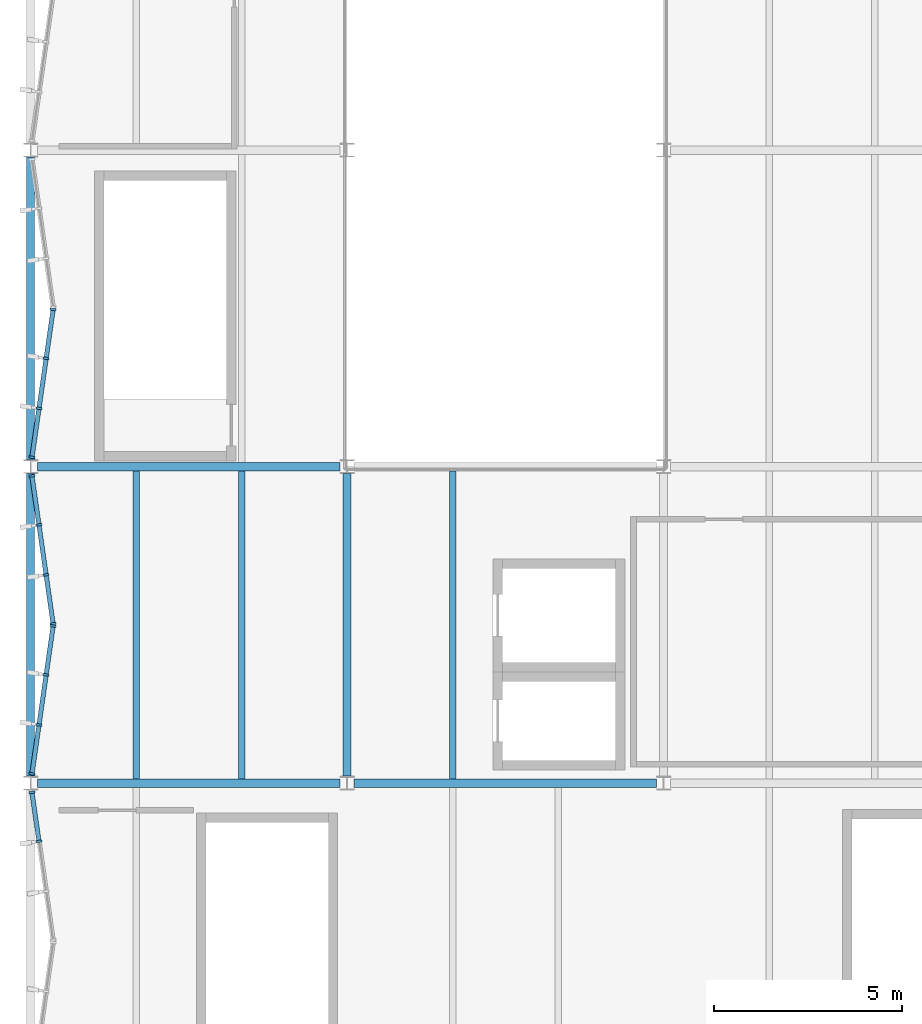
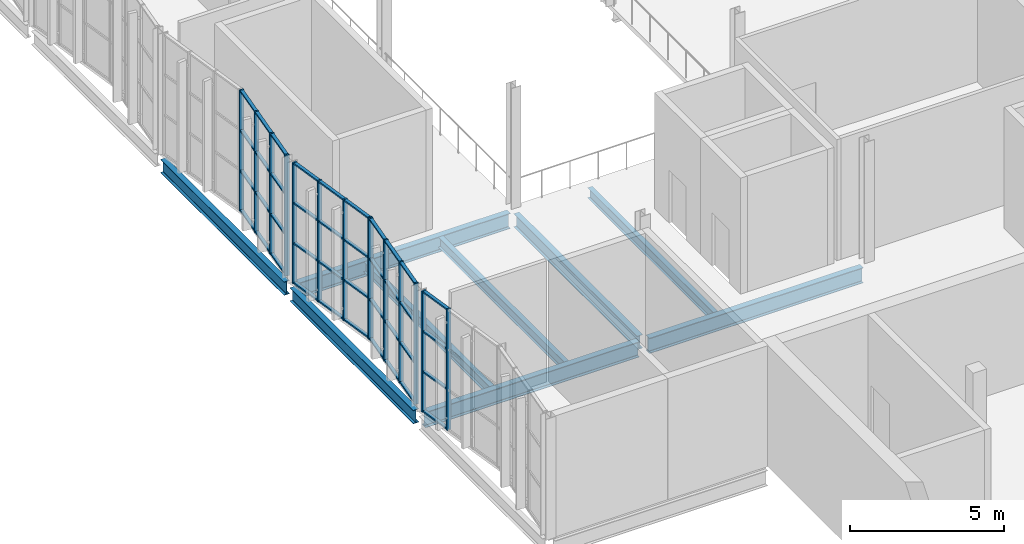
# One storey, part 20 of 116: 54 members, 9 beams, 4 elements without a shape of their own.
"""IFC4 building model written with IfcOpenShell, lengths in metres."""

from ifc_helpers import new_model, si_unit, direction, frame, origin, origin_2d, place, context, subcontext, project, spatial, rectangle, i_section, extrude, material, material_profile, profile_set, type_object, element, aggregate, save


model = new_model("IFC4")

# Units and contexts
model_context = context("Model", 3, precision=1e-05, world=origin(), true_north=direction((0.0, 1.0)))
body_context = subcontext(model_context, "Body", "Model", "MODEL_VIEW")
ifc_project = project(units=[si_unit("LENGTHUNIT", "METRE"), si_unit("AREAUNIT", "SQUARE_METRE"), si_unit("VOLUMEUNIT", "CUBIC_METRE"), si_unit("PLANEANGLEUNIT", "RADIAN"), si_unit("MASSUNIT", "GRAM", prefix="KILO")], contexts=[model_context])

# Site, building, storey
site_placement = place(None, origin())
site = spatial("IfcSite", under=ifc_project, at=site_placement, CompositionType="ELEMENT")
building_placement = place(site_placement, origin())
building = spatial("IfcBuilding", under=site, at=building_placement, Name="Ljudholm Concert House", CompositionType="ELEMENT")
storey_placement = place(building_placement, frame((0.0, 0.0, 10.199951171875)))
storey = spatial("IfcBuildingStorey", under=building, at=storey_placement, Name="L02", CompositionType="ELEMENT", Elevation=10.199951171875)

# Curtain wall, members
ifc_material_1 = material(Name="Aluminium curtain wall with impact-rated laminated glass", Category="aluminium")
curtain_wall_type = type_object("IfcCurtainWallType", Name="CURTAIN WALL 1400", PredefinedType="NOTDEFINED", material=ifc_material_1)
curtain_wall_1_placement = place(storey_placement, origin())
curtain_wall_1 = element("IfcCurtainWall", 1, at=curtain_wall_1_placement, inside=storey, type_object=curtain_wall_type, Name="Facade curtain wall", PredefinedType="NOTDEFINED")
ifc_material_2 = material(Name="Aluminium extrusion", Category="aluminium")
ifc_material_profile_1 = material_profile(ifc_material_2, rectangle(XDim=0.159912109375, YDim=0.06005859375, at=origin_2d()), Name="MULLION 60x160")
ifc_profile_set_1 = profile_set([ifc_material_profile_1], Name="Aluminium extrusion")
member_type_1 = type_object("IfcMemberType", Name="MULLION 60x160", PredefinedType="MULLION", material=ifc_profile_set_1)
member_1_placement = place(storey_placement, frame((4.220703125, 52.854736328125, 0.0), z_axis=(0.0, 0.0, 1.0), x_axis=(-0.989949493647, -0.141421356338, 0.0)))
member_1 = element("IfcMember", 2, at=member_1_placement, type_object=member_type_1, Name="Mullion", PredefinedType="MULLION", context=body_context, shape_type="SweptSolid", body=[
    extrude(rectangle(XDim=0.159912109375, YDim=0.06005859375, at=origin_2d()), origin(), (0.0, 0.0, 1.0), 4.800048828125),
])
member_2_placement = place(storey_placement, frame((4.035400390625, 54.152587890625, 0.0), z_axis=(0.0, 0.0, 1.0), x_axis=(-0.989949493647, -0.141421356338, 0.0)))
member_2 = element("IfcMember", 3, at=member_2_placement, type_object=member_type_1, Name="Mullion", PredefinedType="MULLION", context=body_context, shape_type="SweptSolid", body=[
    extrude(rectangle(XDim=0.159912109375, YDim=0.06005859375, at=origin_2d()), origin(), (0.0, 0.0, 1.0), 4.800048828125),
])

curtain_wall_2_placement = place(storey_placement, origin())
curtain_wall_2 = element("IfcCurtainWall", 4, at=curtain_wall_2_placement, inside=storey, type_object=curtain_wall_type, Name="Facade curtain wall", PredefinedType="NOTDEFINED")
member_3_placement = place(storey_placement, frame((4.035400390625, 54.6474609375, 0.0), z_axis=(0.0, 0.0, 1.0), x_axis=(-0.989949493647, 0.141421356338, 0.0)))
member_3 = element("IfcMember", 5, at=member_3_placement, type_object=member_type_1, Name="Mullion", PredefinedType="MULLION", context=body_context, shape_type="SweptSolid", body=[
    extrude(rectangle(XDim=0.159912109375, YDim=0.06005859375, at=origin_2d()), origin(), (0.0, 0.0, 1.0), 4.800048828125),
])
member_4_placement = place(storey_placement, frame((4.220703125, 55.9453125, 0.0), z_axis=(0.0, 0.0, 1.0), x_axis=(-0.989949493647, 0.141421356338, 0.0)))
member_4 = element("IfcMember", 6, at=member_4_placement, type_object=member_type_1, Name="Mullion", PredefinedType="MULLION", context=body_context, shape_type="SweptSolid", body=[
    extrude(rectangle(XDim=0.159912109375, YDim=0.06005859375, at=origin_2d()), origin(), (0.0, 0.0, 1.0), 4.800048828125),
])
member_5_placement = place(storey_placement, frame((4.410400390625, 57.272705078125, 0.0), z_axis=(0.0, 0.0, 1.0), x_axis=(-0.989949493647, 0.141421356338, 0.0)))
member_5 = element("IfcMember", 7, at=member_5_placement, type_object=member_type_1, Name="Mullion", PredefinedType="MULLION", context=body_context, shape_type="SweptSolid", body=[
    extrude(rectangle(XDim=0.159912109375, YDim=0.06005859375, at=origin_2d()), origin(), (0.0, 0.0, 1.0), 4.800048828125),
])
member_6_placement = place(storey_placement, frame((4.595703125, 58.5703125, 0.0), z_axis=(0.0, 0.0, 1.0), x_axis=(-0.989949493647, 0.141421356338, 0.0)))
member_6 = element("IfcMember", 8, at=member_6_placement, type_object=member_type_1, Name="Mullion", PredefinedType="MULLION", context=body_context, shape_type="SweptSolid", body=[
    extrude(rectangle(XDim=0.159912109375, YDim=0.06005859375, at=origin_2d()), origin(), (0.0, 0.0, 1.0), 4.800048828125),
])

curtain_wall_3_placement = place(storey_placement, origin())
curtain_wall_3 = element("IfcCurtainWall", 9, at=curtain_wall_3_placement, inside=storey, type_object=curtain_wall_type, Name="Facade curtain wall", PredefinedType="NOTDEFINED")
member_7_placement = place(storey_placement, frame((4.595703125, 58.629638671875, 0.0), z_axis=(0.0, 0.0, 1.0), x_axis=(-0.989949493647, -0.141421356338, 0.0)))
member_7 = element("IfcMember", 10, at=member_7_placement, type_object=member_type_1, Name="Mullion", PredefinedType="MULLION", context=body_context, shape_type="SweptSolid", body=[
    extrude(rectangle(XDim=0.159912109375, YDim=0.06005859375, at=origin_2d()), origin(), (0.0, 0.0, 1.0), 4.800048828125),
])
member_8_placement = place(storey_placement, frame((4.410400390625, 59.927490234375, 0.0), z_axis=(0.0, 0.0, 1.0), x_axis=(-0.989949493647, -0.141421356338, 0.0)))
member_8 = element("IfcMember", 11, at=member_8_placement, type_object=member_type_1, Name="Mullion", PredefinedType="MULLION", context=body_context, shape_type="SweptSolid", body=[
    extrude(rectangle(XDim=0.159912109375, YDim=0.06005859375, at=origin_2d()), origin(), (0.0, 0.0, 1.0), 4.800048828125),
])
member_9_placement = place(storey_placement, frame((4.220703125, 61.2548828125, 0.0), z_axis=(0.0, 0.0, 1.0), x_axis=(-0.989949493647, -0.141421356338, 0.0)))
member_9 = element("IfcMember", 12, at=member_9_placement, type_object=member_type_1, Name="Mullion", PredefinedType="MULLION", context=body_context, shape_type="SweptSolid", body=[
    extrude(rectangle(XDim=0.159912109375, YDim=0.06005859375, at=origin_2d()), origin(), (0.0, 0.0, 1.0), 4.800048828125),
])
member_10_placement = place(storey_placement, frame((4.035400390625, 62.552490234375, 0.0), z_axis=(0.0, 0.0, 1.0), x_axis=(-0.989949493647, -0.141421356338, 0.0)))
member_10 = element("IfcMember", 13, at=member_10_placement, type_object=member_type_1, Name="Mullion", PredefinedType="MULLION", context=body_context, shape_type="SweptSolid", body=[
    extrude(rectangle(XDim=0.159912109375, YDim=0.06005859375, at=origin_2d()), origin(), (0.0, 0.0, 1.0), 4.800048828125),
])

curtain_wall_4_placement = place(storey_placement, origin())
curtain_wall_4 = element("IfcCurtainWall", 14, at=curtain_wall_4_placement, inside=storey, type_object=curtain_wall_type, Name="Facade curtain wall", PredefinedType="NOTDEFINED")
member_11_placement = place(storey_placement, frame((4.035400390625, 63.047607421875, 0.0), z_axis=(0.0, 0.0, 1.0), x_axis=(-0.989949493647, 0.141421356338, 0.0)))
member_11 = element("IfcMember", 15, at=member_11_placement, type_object=member_type_1, Name="Mullion", PredefinedType="MULLION", context=body_context, shape_type="SweptSolid", body=[
    extrude(rectangle(XDim=0.159912109375, YDim=0.06005859375, at=origin_2d()), origin(), (0.0, 0.0, 1.0), 4.800048828125),
])
member_12_placement = place(storey_placement, frame((4.220703125, 64.34521484375, 0.0), z_axis=(0.0, 0.0, 1.0), x_axis=(-0.989949493647, 0.141421356338, 0.0)))
member_12 = element("IfcMember", 16, at=member_12_placement, type_object=member_type_1, Name="Mullion", PredefinedType="MULLION", context=body_context, shape_type="SweptSolid", body=[
    extrude(rectangle(XDim=0.159912109375, YDim=0.06005859375, at=origin_2d()), origin(), (0.0, 0.0, 1.0), 4.800048828125),
])
member_13_placement = place(storey_placement, frame((4.410400390625, 65.672607421875, 0.0), z_axis=(0.0, 0.0, 1.0), x_axis=(-0.989949493647, 0.141421356338, 0.0)))
member_13 = element("IfcMember", 17, at=member_13_placement, type_object=member_type_1, Name="Mullion", PredefinedType="MULLION", context=body_context, shape_type="SweptSolid", body=[
    extrude(rectangle(XDim=0.159912109375, YDim=0.06005859375, at=origin_2d()), origin(), (0.0, 0.0, 1.0), 4.800048828125),
])
member_14_placement = place(storey_placement, frame((4.595703125, 66.97021484375, 0.0), z_axis=(0.0, 0.0, 1.0), x_axis=(-0.989949493647, 0.141421356338, 0.0)))
member_14 = element("IfcMember", 18, at=member_14_placement, type_object=member_type_1, Name="Mullion", PredefinedType="MULLION", context=body_context, shape_type="SweptSolid", body=[
    extrude(rectangle(XDim=0.159912109375, YDim=0.06005859375, at=origin_2d()), origin(), (0.0, 0.0, 1.0), 4.800048828125),
])

# Beams
ifc_material_3 = material(Name="Steel ASTM A992", Category="steel")
ifc_material_profile_2 = material_profile(ifc_material_3, i_section(OverallWidth=0.177734375, OverallDepth=0.406494140625, WebThickness=0.0078125, FlangeThickness=0.012939453125, FilletRadius=0.01025390625, at=origin_2d()), Name="W16X40")
ifc_profile_set_2 = profile_set([ifc_material_profile_2], Name="Steel ASTM A992")
beam_type_1 = type_object("IfcBeamType", Name="STEEL BEAM W16X40", PredefinedType="BEAM", material=ifc_profile_set_2)
for number, where, z_axis, x_axis, name in (
    (19, (6.800048828125, 54.5146484375, -0.383056640625), (0.0, 1.0, 0.0), (-1.0, 0.0, 0.0), "Secondary beam"),
    (20, (9.60009765625, 54.5146484375, -0.383056640625), (0.0, 1.0, 0.0), (-1.0, 0.0, 0.0), "Secondary beam"),
    (21, (15.199951171875, 54.5146484375, -0.383056640625), (0.0, 1.0, 0.0), (-1.0, 0.0, 0.0), "Secondary beam"),
):
    element("IfcBeam", number, at=place(storey_placement, frame(where, z_axis=z_axis, x_axis=x_axis)), inside=storey, type_object=beam_type_1, Name=name, PredefinedType="BEAM", context=body_context, shape_type="SweptSolid", body=[
        extrude(i_section(OverallWidth=0.177734375, OverallDepth=0.406494140625, WebThickness=0.0078125, FlangeThickness=0.012939453125, FilletRadius=0.01025390625, at=origin_2d()), origin(), (0.0, 0.0, 1.0), 8.1708984375),
    ])
ifc_material_4 = material(Name="Steel ASTM A992", Category="steel")
ifc_material_profile_3 = material_profile(ifc_material_4, i_section(OverallWidth=0.209228515625, OverallDepth=0.533447265625, WebThickness=0.01025390625, FlangeThickness=0.015625, FilletRadius=0.012939453125, at=origin_2d()), Name="W21X62")
ifc_profile_set_3 = profile_set([ifc_material_profile_3], Name="Steel ASTM A992")
beam_type_2 = type_object("IfcBeamType", Name="STEEL BEAM W21X62", PredefinedType="BEAM", material=ifc_profile_set_3)
beam_1_placement = place(storey_placement, frame((4.0, 54.586669921875, -0.446533203125), z_axis=(0.0, 1.0, 0.0), x_axis=(-1.0, 0.0, 0.0)))
element("IfcBeam", 22, at=beam_1_placement, inside=storey, type_object=beam_type_2, Name="Floor edge beam", PredefinedType="BEAM", context=body_context, shape_type="SweptSolid", body=[
    extrude(i_section(OverallWidth=0.209228515625, OverallDepth=0.533447265625, WebThickness=0.01025390625, FlangeThickness=0.015625, FilletRadius=0.012939453125, at=origin_2d()), origin(), (0.0, 0.0, 1.0), 8.026611328125),
])
beam_2_placement = place(storey_placement, frame((4.0, 62.986572265625, -0.446533203125), z_axis=(0.0, 1.0, 0.0), x_axis=(-1.0, 0.0, 0.0)))
element("IfcBeam", 23, at=beam_2_placement, inside=storey, type_object=beam_type_2, Name="Floor edge beam", PredefinedType="BEAM", context=body_context, shape_type="SweptSolid", body=[
    extrude(i_section(OverallWidth=0.209228515625, OverallDepth=0.533447265625, WebThickness=0.01025390625, FlangeThickness=0.015625, FilletRadius=0.012939453125, at=origin_2d()), origin(), (0.0, 0.0, 1.0), 8.02685546875),
])
beam_3_placement = place(storey_placement, frame((12.39990234375, 54.586669921875, -0.446533203125), z_axis=(0.0, 1.0, 0.0), x_axis=(-1.0, 0.0, 0.0)))
element("IfcBeam", 24, at=beam_3_placement, inside=storey, type_object=beam_type_2, Name="Floor edge beam", PredefinedType="BEAM", context=body_context, shape_type="SweptSolid", body=[
    extrude(i_section(OverallWidth=0.209228515625, OverallDepth=0.533447265625, WebThickness=0.01025390625, FlangeThickness=0.015625, FilletRadius=0.012939453125, at=origin_2d()), origin(), (0.0, 0.0, 1.0), 8.026611328125),
])
ifc_material_5 = material(Name="Steel ASTM A992", Category="steel")
ifc_material_profile_4 = material_profile(ifc_material_5, i_section(OverallWidth=0.22900390625, OverallDepth=0.612060546875, WebThickness=0.011962890625, FlangeThickness=0.01953125, FilletRadius=0.0126953125, at=origin_2d()), Name="W24X84")
ifc_profile_set_4 = profile_set([ifc_material_profile_4], Name="Steel ASTM A992")
beam_type_3 = type_object("IfcBeamType", Name="STEEL BEAM W24X84", PredefinedType="BEAM", material=ifc_profile_set_4)
for number, where, z_axis, x_axis, name in (
    (25, (4.186767578125, 54.39990234375, -0.486083984375), (1.0, 0.0, 0.0), (0.0, 1.0, 0.0), "Floor girder"),
    (26, (12.586669921875, 54.39990234375, -0.486083984375), (1.0, 0.0, 0.0), (0.0, 1.0, 0.0), "Floor girder"),
    (27, (4.186767578125, 62.800048828125, -0.486083984375), (1.0, 0.0, 0.0), (0.0, 1.0, 0.0), "Floor girder"),
):
    element("IfcBeam", number, at=place(storey_placement, frame(where, z_axis=z_axis, x_axis=x_axis)), inside=storey, type_object=beam_type_3, Name=name, PredefinedType="BEAM", context=body_context, shape_type="SweptSolid", body=[
        extrude(i_section(OverallWidth=0.22900390625, OverallDepth=0.612060546875, WebThickness=0.011962890625, FlangeThickness=0.01953125, FilletRadius=0.0126953125, at=origin_2d()), origin(), (0.0, 0.0, 1.0), 8.026611328125),
    ])

# Member
ifc_material_6 = material(Name="Aluminium extrusion", Category="aluminium")
ifc_material_profile_5 = material_profile(ifc_material_6, rectangle(XDim=0.1201171875, YDim=0.06005859375, at=origin_2d()), Name="TRANSOM 60x120")
ifc_profile_set_5 = profile_set([ifc_material_profile_5], Name="Aluminium extrusion")
member_type_2 = type_object("IfcMemberType", Name="TRANSOM 60x120", PredefinedType="USERDEFINED", material=ifc_profile_set_5)
member_15_placement = place(storey_placement, frame((4.216552734375, 52.884521484375, 0.030029296875), z_axis=(-0.141503330095, 0.989937779647, 0.0), x_axis=(-0.989937779647, -0.141503330095, 0.0)))
member_15 = element("IfcMember", 28, at=member_15_placement, type_object=member_type_2, Name="Transom", ObjectType="TRANSOM", PredefinedType="USERDEFINED", context=body_context, shape_type="SweptSolid", body=[
    extrude(rectangle(XDim=0.1201171875, YDim=0.06005859375, at=origin_2d()), origin(), (0.0, 0.0, 1.0), 1.2509765625),
])

member_16_placement = place(storey_placement, frame((4.216552734375, 52.884521484375, 1.60009765625), z_axis=(-0.141503330095, 0.989937779647, 0.0), x_axis=(-0.989937779647, -0.141503330095, 0.0)))
member_16 = element("IfcMember", 29, at=member_16_placement, type_object=member_type_2, Name="Transom", ObjectType="TRANSOM", PredefinedType="USERDEFINED", context=body_context, shape_type="SweptSolid", body=[
    extrude(rectangle(XDim=0.1201171875, YDim=0.06005859375, at=origin_2d()), origin(), (0.0, 0.0, 1.0), 1.2509765625),
])

member_17_placement = place(storey_placement, frame((4.216552734375, 52.884521484375, 3.199951171875), z_axis=(-0.141503330095, 0.989937779647, 0.0), x_axis=(-0.989937779647, -0.141503330095, 0.0)))
member_17 = element("IfcMember", 30, at=member_17_placement, type_object=member_type_2, Name="Transom", ObjectType="TRANSOM", PredefinedType="USERDEFINED", context=body_context, shape_type="SweptSolid", body=[
    extrude(rectangle(XDim=0.1201171875, YDim=0.06005859375, at=origin_2d()), origin(), (0.0, 0.0, 1.0), 1.2509765625),
])

member_18_placement = place(storey_placement, frame((4.216552734375, 52.884521484375, 4.77001953125), z_axis=(-0.141503330095, 0.989937779647, 0.0), x_axis=(-0.989937779647, -0.141503330095, 0.0)))
member_18 = element("IfcMember", 31, at=member_18_placement, type_object=member_type_2, Name="Transom", ObjectType="TRANSOM", PredefinedType="USERDEFINED", context=body_context, shape_type="SweptSolid", body=[
    extrude(rectangle(XDim=0.1201171875, YDim=0.06005859375, at=origin_2d()), origin(), (0.0, 0.0, 1.0), 1.2509765625),
])

aggregate(curtain_wall_1, [member_1, member_2, member_15, member_16, member_17, member_18])

member_19_placement = place(storey_placement, frame((4.03955078125, 54.67724609375, 0.030029296875), z_axis=(0.141503330095, 0.989937779647, 0.0), x_axis=(-0.989937779647, 0.141503330095, 0.0)))
member_19 = element("IfcMember", 32, at=member_19_placement, type_object=member_type_2, Name="Transom", ObjectType="TRANSOM", PredefinedType="USERDEFINED", context=body_context, shape_type="SweptSolid", body=[
    extrude(rectangle(XDim=0.1201171875, YDim=0.06005859375, at=origin_2d()), origin(), (0.0, 0.0, 1.0), 1.2509765625),
])

member_20_placement = place(storey_placement, frame((4.03955078125, 54.67724609375, 1.60009765625), z_axis=(0.141503330095, 0.989937779647, 0.0), x_axis=(-0.989937779647, 0.141503330095, 0.0)))
member_20 = element("IfcMember", 33, at=member_20_placement, type_object=member_type_2, Name="Transom", ObjectType="TRANSOM", PredefinedType="USERDEFINED", context=body_context, shape_type="SweptSolid", body=[
    extrude(rectangle(XDim=0.1201171875, YDim=0.06005859375, at=origin_2d()), origin(), (0.0, 0.0, 1.0), 1.2509765625),
])

member_21_placement = place(storey_placement, frame((4.03955078125, 54.67724609375, 3.199951171875), z_axis=(0.141503330095, 0.989937779647, 0.0), x_axis=(-0.989937779647, 0.141503330095, 0.0)))
member_21 = element("IfcMember", 34, at=member_21_placement, type_object=member_type_2, Name="Transom", ObjectType="TRANSOM", PredefinedType="USERDEFINED", context=body_context, shape_type="SweptSolid", body=[
    extrude(rectangle(XDim=0.1201171875, YDim=0.06005859375, at=origin_2d()), origin(), (0.0, 0.0, 1.0), 1.2509765625),
])

member_22_placement = place(storey_placement, frame((4.03955078125, 54.67724609375, 4.77001953125), z_axis=(0.141503330095, 0.989937779647, 0.0), x_axis=(-0.989937779647, 0.141503330095, 0.0)))
member_22 = element("IfcMember", 35, at=member_22_placement, type_object=member_type_2, Name="Transom", ObjectType="TRANSOM", PredefinedType="USERDEFINED", context=body_context, shape_type="SweptSolid", body=[
    extrude(rectangle(XDim=0.1201171875, YDim=0.06005859375, at=origin_2d()), origin(), (0.0, 0.0, 1.0), 1.2509765625),
])

member_23_placement = place(storey_placement, frame((4.22509765625, 55.974853515625, 0.030029296875), z_axis=(0.141421356237, 0.989949493661, 0.0), x_axis=(-0.989949493661, 0.141421356237, 0.0)))
member_23 = element("IfcMember", 36, at=member_23_placement, type_object=member_type_2, Name="Transom", ObjectType="TRANSOM", PredefinedType="USERDEFINED", context=body_context, shape_type="SweptSolid", body=[
    extrude(rectangle(XDim=0.1201171875, YDim=0.06005859375, at=origin_2d()), origin(), (0.0, 0.0, 1.0), 1.281005859375),
])

member_24_placement = place(storey_placement, frame((4.22509765625, 55.974853515625, 1.60009765625), z_axis=(0.141421356237, 0.989949493661, 0.0), x_axis=(-0.989949493661, 0.141421356237, 0.0)))
member_24 = element("IfcMember", 37, at=member_24_placement, type_object=member_type_2, Name="Transom", ObjectType="TRANSOM", PredefinedType="USERDEFINED", context=body_context, shape_type="SweptSolid", body=[
    extrude(rectangle(XDim=0.1201171875, YDim=0.06005859375, at=origin_2d()), origin(), (0.0, 0.0, 1.0), 1.281005859375),
])

member_25_placement = place(storey_placement, frame((4.22509765625, 55.974853515625, 3.199951171875), z_axis=(0.141421356237, 0.989949493661, 0.0), x_axis=(-0.989949493661, 0.141421356237, 0.0)))
member_25 = element("IfcMember", 38, at=member_25_placement, type_object=member_type_2, Name="Transom", ObjectType="TRANSOM", PredefinedType="USERDEFINED", context=body_context, shape_type="SweptSolid", body=[
    extrude(rectangle(XDim=0.1201171875, YDim=0.06005859375, at=origin_2d()), origin(), (0.0, 0.0, 1.0), 1.281005859375),
])

member_26_placement = place(storey_placement, frame((4.22509765625, 55.974853515625, 4.77001953125), z_axis=(0.141421356237, 0.989949493661, 0.0), x_axis=(-0.989949493661, 0.141421356237, 0.0)))
member_26 = element("IfcMember", 39, at=member_26_placement, type_object=member_type_2, Name="Transom", ObjectType="TRANSOM", PredefinedType="USERDEFINED", context=body_context, shape_type="SweptSolid", body=[
    extrude(rectangle(XDim=0.1201171875, YDim=0.06005859375, at=origin_2d()), origin(), (0.0, 0.0, 1.0), 1.281005859375),
])

member_27_placement = place(storey_placement, frame((4.41455078125, 57.30224609375, 0.030029296875), z_axis=(0.141503330095, 0.989937779647, 0.0), x_axis=(-0.989937779647, 0.141503330095, 0.0)))
member_27 = element("IfcMember", 40, at=member_27_placement, type_object=member_type_2, Name="Transom", ObjectType="TRANSOM", PredefinedType="USERDEFINED", context=body_context, shape_type="SweptSolid", body=[
    extrude(rectangle(XDim=0.1201171875, YDim=0.06005859375, at=origin_2d()), origin(), (0.0, 0.0, 1.0), 1.2509765625),
])

member_28_placement = place(storey_placement, frame((4.41455078125, 57.30224609375, 1.60009765625), z_axis=(0.141503330095, 0.989937779647, 0.0), x_axis=(-0.989937779647, 0.141503330095, 0.0)))
member_28 = element("IfcMember", 41, at=member_28_placement, type_object=member_type_2, Name="Transom", ObjectType="TRANSOM", PredefinedType="USERDEFINED", context=body_context, shape_type="SweptSolid", body=[
    extrude(rectangle(XDim=0.1201171875, YDim=0.06005859375, at=origin_2d()), origin(), (0.0, 0.0, 1.0), 1.2509765625),
])

member_29_placement = place(storey_placement, frame((4.41455078125, 57.30224609375, 3.199951171875), z_axis=(0.141503330095, 0.989937779647, 0.0), x_axis=(-0.989937779647, 0.141503330095, 0.0)))
member_29 = element("IfcMember", 42, at=member_29_placement, type_object=member_type_2, Name="Transom", ObjectType="TRANSOM", PredefinedType="USERDEFINED", context=body_context, shape_type="SweptSolid", body=[
    extrude(rectangle(XDim=0.1201171875, YDim=0.06005859375, at=origin_2d()), origin(), (0.0, 0.0, 1.0), 1.2509765625),
])

member_30_placement = place(storey_placement, frame((4.41455078125, 57.30224609375, 4.77001953125), z_axis=(0.141503330095, 0.989937779647, 0.0), x_axis=(-0.989937779647, 0.141503330095, 0.0)))
member_30 = element("IfcMember", 43, at=member_30_placement, type_object=member_type_2, Name="Transom", ObjectType="TRANSOM", PredefinedType="USERDEFINED", context=body_context, shape_type="SweptSolid", body=[
    extrude(rectangle(XDim=0.1201171875, YDim=0.06005859375, at=origin_2d()), origin(), (0.0, 0.0, 1.0), 1.2509765625),
])

aggregate(curtain_wall_2, [member_3, member_4, member_5, member_6, member_19, member_20, member_21, member_22, member_23, member_24, member_25, member_26, member_27, member_28, member_29, member_30])

member_31_placement = place(storey_placement, frame((4.591552734375, 58.659423828125, 0.030029296875), z_axis=(-0.141503330095, 0.989937779647, 0.0), x_axis=(-0.989937779647, -0.141503330095, 0.0)))
member_31 = element("IfcMember", 44, at=member_31_placement, type_object=member_type_2, Name="Transom", ObjectType="TRANSOM", PredefinedType="USERDEFINED", context=body_context, shape_type="SweptSolid", body=[
    extrude(rectangle(XDim=0.1201171875, YDim=0.06005859375, at=origin_2d()), origin(), (0.0, 0.0, 1.0), 1.2509765625),
])

member_32_placement = place(storey_placement, frame((4.591552734375, 58.659423828125, 1.60009765625), z_axis=(-0.141503330095, 0.989937779647, 0.0), x_axis=(-0.989937779647, -0.141503330095, 0.0)))
member_32 = element("IfcMember", 45, at=member_32_placement, type_object=member_type_2, Name="Transom", ObjectType="TRANSOM", PredefinedType="USERDEFINED", context=body_context, shape_type="SweptSolid", body=[
    extrude(rectangle(XDim=0.1201171875, YDim=0.06005859375, at=origin_2d()), origin(), (0.0, 0.0, 1.0), 1.2509765625),
])

member_33_placement = place(storey_placement, frame((4.591552734375, 58.659423828125, 3.199951171875), z_axis=(-0.141503330095, 0.989937779647, 0.0), x_axis=(-0.989937779647, -0.141503330095, 0.0)))
member_33 = element("IfcMember", 46, at=member_33_placement, type_object=member_type_2, Name="Transom", ObjectType="TRANSOM", PredefinedType="USERDEFINED", context=body_context, shape_type="SweptSolid", body=[
    extrude(rectangle(XDim=0.1201171875, YDim=0.06005859375, at=origin_2d()), origin(), (0.0, 0.0, 1.0), 1.2509765625),
])

member_34_placement = place(storey_placement, frame((4.591552734375, 58.659423828125, 4.77001953125), z_axis=(-0.141503330095, 0.989937779647, 0.0), x_axis=(-0.989937779647, -0.141503330095, 0.0)))
member_34 = element("IfcMember", 47, at=member_34_placement, type_object=member_type_2, Name="Transom", ObjectType="TRANSOM", PredefinedType="USERDEFINED", context=body_context, shape_type="SweptSolid", body=[
    extrude(rectangle(XDim=0.1201171875, YDim=0.06005859375, at=origin_2d()), origin(), (0.0, 0.0, 1.0), 1.2509765625),
])

member_35_placement = place(storey_placement, frame((4.40625, 59.95703125, 0.030029296875), z_axis=(-0.141421356237, 0.989949493661, 0.0), x_axis=(-0.989949493661, -0.141421356237, 0.0)))
member_35 = element("IfcMember", 48, at=member_35_placement, type_object=member_type_2, Name="Transom", ObjectType="TRANSOM", PredefinedType="USERDEFINED", context=body_context, shape_type="SweptSolid", body=[
    extrude(rectangle(XDim=0.1201171875, YDim=0.06005859375, at=origin_2d()), origin(), (0.0, 0.0, 1.0), 1.281005859375),
])

member_36_placement = place(storey_placement, frame((4.40625, 59.95703125, 1.60009765625), z_axis=(-0.141421356237, 0.989949493661, 0.0), x_axis=(-0.989949493661, -0.141421356237, 0.0)))
member_36 = element("IfcMember", 49, at=member_36_placement, type_object=member_type_2, Name="Transom", ObjectType="TRANSOM", PredefinedType="USERDEFINED", context=body_context, shape_type="SweptSolid", body=[
    extrude(rectangle(XDim=0.1201171875, YDim=0.06005859375, at=origin_2d()), origin(), (0.0, 0.0, 1.0), 1.281005859375),
])

member_37_placement = place(storey_placement, frame((4.40625, 59.95703125, 3.199951171875), z_axis=(-0.141421356237, 0.989949493661, 0.0), x_axis=(-0.989949493661, -0.141421356237, 0.0)))
member_37 = element("IfcMember", 50, at=member_37_placement, type_object=member_type_2, Name="Transom", ObjectType="TRANSOM", PredefinedType="USERDEFINED", context=body_context, shape_type="SweptSolid", body=[
    extrude(rectangle(XDim=0.1201171875, YDim=0.06005859375, at=origin_2d()), origin(), (0.0, 0.0, 1.0), 1.281005859375),
])

member_38_placement = place(storey_placement, frame((4.40625, 59.95703125, 4.77001953125), z_axis=(-0.141421356237, 0.989949493661, 0.0), x_axis=(-0.989949493661, -0.141421356237, 0.0)))
member_38 = element("IfcMember", 51, at=member_38_placement, type_object=member_type_2, Name="Transom", ObjectType="TRANSOM", PredefinedType="USERDEFINED", context=body_context, shape_type="SweptSolid", body=[
    extrude(rectangle(XDim=0.1201171875, YDim=0.06005859375, at=origin_2d()), origin(), (0.0, 0.0, 1.0), 1.281005859375),
])

member_39_placement = place(storey_placement, frame((4.216552734375, 61.284423828125, 0.030029296875), z_axis=(-0.141503330095, 0.989937779647, 0.0), x_axis=(-0.989937779647, -0.141503330095, 0.0)))
member_39 = element("IfcMember", 52, at=member_39_placement, type_object=member_type_2, Name="Transom", ObjectType="TRANSOM", PredefinedType="USERDEFINED", context=body_context, shape_type="SweptSolid", body=[
    extrude(rectangle(XDim=0.1201171875, YDim=0.06005859375, at=origin_2d()), origin(), (0.0, 0.0, 1.0), 1.2509765625),
])

member_40_placement = place(storey_placement, frame((4.216552734375, 61.284423828125, 1.60009765625), z_axis=(-0.141503330095, 0.989937779647, 0.0), x_axis=(-0.989937779647, -0.141503330095, 0.0)))
member_40 = element("IfcMember", 53, at=member_40_placement, type_object=member_type_2, Name="Transom", ObjectType="TRANSOM", PredefinedType="USERDEFINED", context=body_context, shape_type="SweptSolid", body=[
    extrude(rectangle(XDim=0.1201171875, YDim=0.06005859375, at=origin_2d()), origin(), (0.0, 0.0, 1.0), 1.2509765625),
])

member_41_placement = place(storey_placement, frame((4.216552734375, 61.284423828125, 3.199951171875), z_axis=(-0.141503330095, 0.989937779647, 0.0), x_axis=(-0.989937779647, -0.141503330095, 0.0)))
member_41 = element("IfcMember", 54, at=member_41_placement, type_object=member_type_2, Name="Transom", ObjectType="TRANSOM", PredefinedType="USERDEFINED", context=body_context, shape_type="SweptSolid", body=[
    extrude(rectangle(XDim=0.1201171875, YDim=0.06005859375, at=origin_2d()), origin(), (0.0, 0.0, 1.0), 1.2509765625),
])

member_42_placement = place(storey_placement, frame((4.216552734375, 61.284423828125, 4.77001953125), z_axis=(-0.141503330095, 0.989937779647, 0.0), x_axis=(-0.989937779647, -0.141503330095, 0.0)))
member_42 = element("IfcMember", 55, at=member_42_placement, type_object=member_type_2, Name="Transom", ObjectType="TRANSOM", PredefinedType="USERDEFINED", context=body_context, shape_type="SweptSolid", body=[
    extrude(rectangle(XDim=0.1201171875, YDim=0.06005859375, at=origin_2d()), origin(), (0.0, 0.0, 1.0), 1.2509765625),
])

aggregate(curtain_wall_3, [member_7, member_8, member_9, member_10, member_31, member_32, member_33, member_34, member_35, member_36, member_37, member_38, member_39, member_40, member_41, member_42])

member_43_placement = place(storey_placement, frame((4.03955078125, 63.0771484375, 0.030029296875), z_axis=(0.141503330095, 0.989937779647, 0.0), x_axis=(-0.989937779647, 0.141503330095, 0.0)))
member_43 = element("IfcMember", 56, at=member_43_placement, type_object=member_type_2, Name="Transom", ObjectType="TRANSOM", PredefinedType="USERDEFINED", context=body_context, shape_type="SweptSolid", body=[
    extrude(rectangle(XDim=0.1201171875, YDim=0.06005859375, at=origin_2d()), origin(), (0.0, 0.0, 1.0), 1.2509765625),
])

member_44_placement = place(storey_placement, frame((4.03955078125, 63.0771484375, 1.60009765625), z_axis=(0.141503330095, 0.989937779647, 0.0), x_axis=(-0.989937779647, 0.141503330095, 0.0)))
member_44 = element("IfcMember", 57, at=member_44_placement, type_object=member_type_2, Name="Transom", ObjectType="TRANSOM", PredefinedType="USERDEFINED", context=body_context, shape_type="SweptSolid", body=[
    extrude(rectangle(XDim=0.1201171875, YDim=0.06005859375, at=origin_2d()), origin(), (0.0, 0.0, 1.0), 1.2509765625),
])

member_45_placement = place(storey_placement, frame((4.03955078125, 63.0771484375, 3.199951171875), z_axis=(0.141503330095, 0.989937779647, 0.0), x_axis=(-0.989937779647, 0.141503330095, 0.0)))
member_45 = element("IfcMember", 58, at=member_45_placement, type_object=member_type_2, Name="Transom", ObjectType="TRANSOM", PredefinedType="USERDEFINED", context=body_context, shape_type="SweptSolid", body=[
    extrude(rectangle(XDim=0.1201171875, YDim=0.06005859375, at=origin_2d()), origin(), (0.0, 0.0, 1.0), 1.2509765625),
])

member_46_placement = place(storey_placement, frame((4.03955078125, 63.0771484375, 4.77001953125), z_axis=(0.141503330095, 0.989937779647, 0.0), x_axis=(-0.989937779647, 0.141503330095, 0.0)))
member_46 = element("IfcMember", 59, at=member_46_placement, type_object=member_type_2, Name="Transom", ObjectType="TRANSOM", PredefinedType="USERDEFINED", context=body_context, shape_type="SweptSolid", body=[
    extrude(rectangle(XDim=0.1201171875, YDim=0.06005859375, at=origin_2d()), origin(), (0.0, 0.0, 1.0), 1.2509765625),
])

member_47_placement = place(storey_placement, frame((4.22509765625, 64.375, 0.030029296875), z_axis=(0.141448044496, 0.989945680686, 0.0), x_axis=(-0.989945680686, 0.141448044496, 0.0)))
member_47 = element("IfcMember", 60, at=member_47_placement, type_object=member_type_2, Name="Transom", ObjectType="TRANSOM", PredefinedType="USERDEFINED", context=body_context, shape_type="SweptSolid", body=[
    extrude(rectangle(XDim=0.1201171875, YDim=0.06005859375, at=origin_2d()), origin(), (0.0, 0.0, 1.0), 1.28076171875),
])

member_48_placement = place(storey_placement, frame((4.22509765625, 64.375, 1.60009765625), z_axis=(0.141448044496, 0.989945680686, 0.0), x_axis=(-0.989945680686, 0.141448044496, 0.0)))
member_48 = element("IfcMember", 61, at=member_48_placement, type_object=member_type_2, Name="Transom", ObjectType="TRANSOM", PredefinedType="USERDEFINED", context=body_context, shape_type="SweptSolid", body=[
    extrude(rectangle(XDim=0.1201171875, YDim=0.06005859375, at=origin_2d()), origin(), (0.0, 0.0, 1.0), 1.28076171875),
])

member_49_placement = place(storey_placement, frame((4.22509765625, 64.375, 3.199951171875), z_axis=(0.141448044496, 0.989945680686, 0.0), x_axis=(-0.989945680686, 0.141448044496, 0.0)))
member_49 = element("IfcMember", 62, at=member_49_placement, type_object=member_type_2, Name="Transom", ObjectType="TRANSOM", PredefinedType="USERDEFINED", context=body_context, shape_type="SweptSolid", body=[
    extrude(rectangle(XDim=0.1201171875, YDim=0.06005859375, at=origin_2d()), origin(), (0.0, 0.0, 1.0), 1.28076171875),
])

member_50_placement = place(storey_placement, frame((4.22509765625, 64.375, 4.77001953125), z_axis=(0.141448044496, 0.989945680686, 0.0), x_axis=(-0.989945680686, 0.141448044496, 0.0)))
member_50 = element("IfcMember", 63, at=member_50_placement, type_object=member_type_2, Name="Transom", ObjectType="TRANSOM", PredefinedType="USERDEFINED", context=body_context, shape_type="SweptSolid", body=[
    extrude(rectangle(XDim=0.1201171875, YDim=0.06005859375, at=origin_2d()), origin(), (0.0, 0.0, 1.0), 1.28076171875),
])

member_51_placement = place(storey_placement, frame((4.41455078125, 65.702392578125, 0.030029296875), z_axis=(0.141503330095, 0.989937779647, 0.0), x_axis=(-0.989937779647, 0.141503330095, 0.0)))
member_51 = element("IfcMember", 64, at=member_51_placement, type_object=member_type_2, Name="Transom", ObjectType="TRANSOM", PredefinedType="USERDEFINED", context=body_context, shape_type="SweptSolid", body=[
    extrude(rectangle(XDim=0.1201171875, YDim=0.06005859375, at=origin_2d()), origin(), (0.0, 0.0, 1.0), 1.2509765625),
])

member_52_placement = place(storey_placement, frame((4.41455078125, 65.702392578125, 1.60009765625), z_axis=(0.141503330095, 0.989937779647, 0.0), x_axis=(-0.989937779647, 0.141503330095, 0.0)))
member_52 = element("IfcMember", 65, at=member_52_placement, type_object=member_type_2, Name="Transom", ObjectType="TRANSOM", PredefinedType="USERDEFINED", context=body_context, shape_type="SweptSolid", body=[
    extrude(rectangle(XDim=0.1201171875, YDim=0.06005859375, at=origin_2d()), origin(), (0.0, 0.0, 1.0), 1.2509765625),
])

member_53_placement = place(storey_placement, frame((4.41455078125, 65.702392578125, 3.199951171875), z_axis=(0.141503330095, 0.989937779647, 0.0), x_axis=(-0.989937779647, 0.141503330095, 0.0)))
member_53 = element("IfcMember", 66, at=member_53_placement, type_object=member_type_2, Name="Transom", ObjectType="TRANSOM", PredefinedType="USERDEFINED", context=body_context, shape_type="SweptSolid", body=[
    extrude(rectangle(XDim=0.1201171875, YDim=0.06005859375, at=origin_2d()), origin(), (0.0, 0.0, 1.0), 1.2509765625),
])

member_54_placement = place(storey_placement, frame((4.41455078125, 65.702392578125, 4.77001953125), z_axis=(0.141503330095, 0.989937779647, 0.0), x_axis=(-0.989937779647, 0.141503330095, 0.0)))
member_54 = element("IfcMember", 67, at=member_54_placement, type_object=member_type_2, Name="Transom", ObjectType="TRANSOM", PredefinedType="USERDEFINED", context=body_context, shape_type="SweptSolid", body=[
    extrude(rectangle(XDim=0.1201171875, YDim=0.06005859375, at=origin_2d()), origin(), (0.0, 0.0, 1.0), 1.2509765625),
])

aggregate(curtain_wall_4, [member_11, member_12, member_13, member_14, member_43, member_44, member_45, member_46, member_47, member_48, member_49, member_50, member_51, member_52, member_53, member_54])

save(model, "model.ifc")
